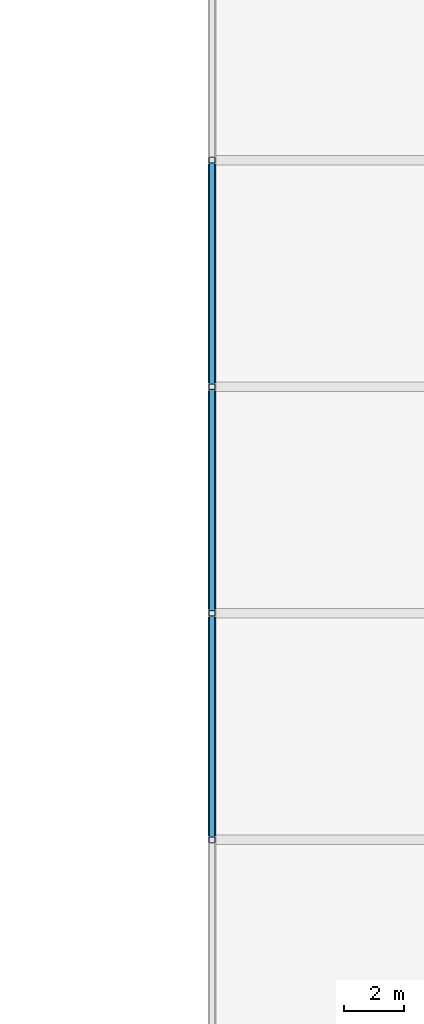
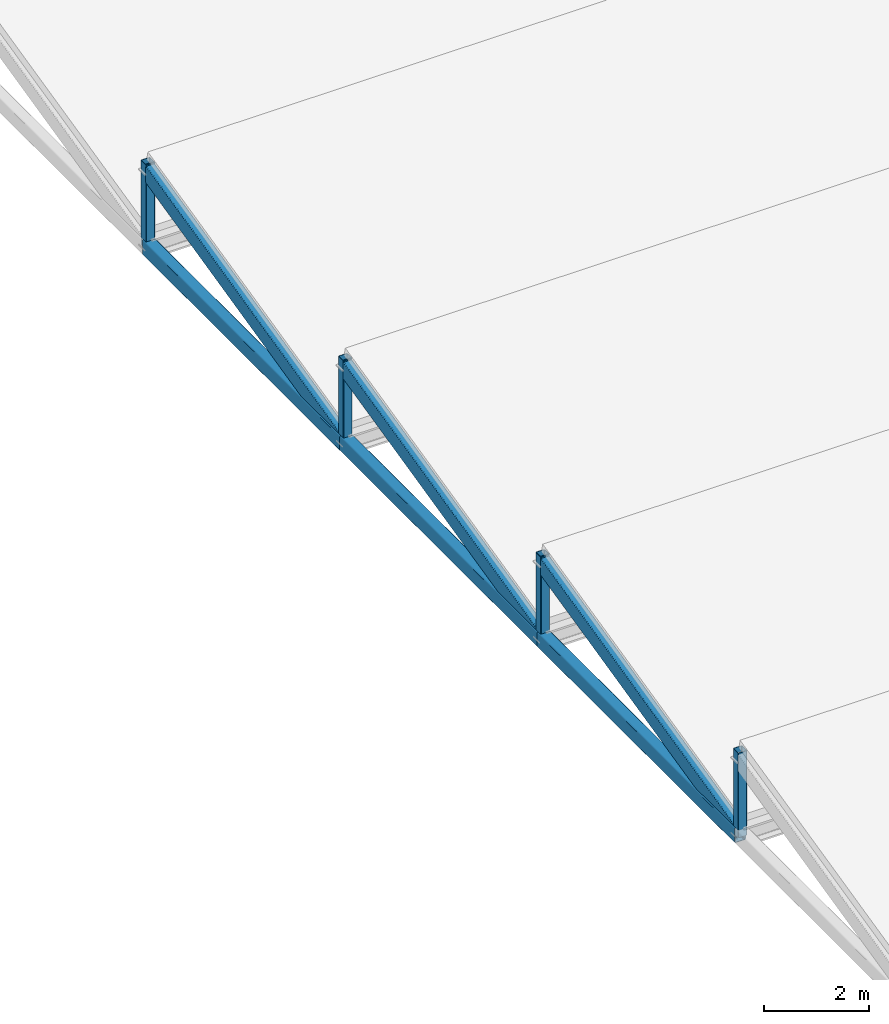
# One storey, part 38 of 82: 10 members.
"""IFC4 building model written with IfcOpenShell, lengths in metres."""

from ifc_helpers import new_model, si_unit, direction, frame, origin, origin_2d, place, context, subcontext, project, spatial, hollow_rectangle, extrude, material, material_profile, profile_set, type_object, element, save


model = new_model("IFC4")

# Units and contexts
model_context = context("Model", 3, precision=1e-05, world=origin(), true_north=direction((0.0, 1.0)))
body_context = subcontext(model_context, "Body", "Model", "MODEL_VIEW")
ifc_project = project(units=[si_unit("LENGTHUNIT", "METRE"), si_unit("AREAUNIT", "SQUARE_METRE"), si_unit("VOLUMEUNIT", "CUBIC_METRE"), si_unit("PLANEANGLEUNIT", "RADIAN"), si_unit("MASSUNIT", "GRAM", prefix="KILO")], contexts=[model_context])

# Site, building, storey
site_placement = place(None, origin())
site = spatial("IfcSite", under=ifc_project, at=site_placement, CompositionType="ELEMENT")
building_placement = place(site_placement, origin())
building = spatial("IfcBuilding", under=site, at=building_placement, Name="Qasida Concert Hall", CompositionType="ELEMENT")
storey_placement = place(building_placement, frame((0.0, 0.0, 17.10009765625)))
storey = spatial("IfcBuildingStorey", under=building, at=storey_placement, Name="L04", CompositionType="ELEMENT", Elevation=17.10009765625)

# Members
ifc_material = material(Name="Steel S355J2", Category="steel")
ifc_material_profile_1 = material_profile(ifc_material, hollow_rectangle(XDim=0.199951171875, YDim=0.39990234375, WallThickness=0.01611328125, InnerFilletRadius=0.01611328125, OuterFilletRadius=0.031982421875, at=origin_2d()), Name="RHS 400x200x16")
ifc_profile_set_1 = profile_set([ifc_material_profile_1], Name="Steel S355J2")
member_type_1 = type_object("IfcMemberType", Name="MB-CH4", PredefinedType="CHORD", material=ifc_profile_set_1)
for number, where, z_axis, x_axis, name in (
    (1, (127.5, 82.5, 0.0), (0.0, 0.973841209742, 0.227229615606), (-1.0, 0.0, 0.0), "Roof truss sawtooth rafter V4R-032"),
    (2, (127.5, 90.0, 0.0), (0.0, 0.973841209742, 0.227229615606), (-1.0, 0.0, 0.0), "Roof truss sawtooth rafter V4R-050"),
    (3, (127.5, 97.5, 0.0), (0.0, 0.973841209742, 0.227229615606), (-1.0, 0.0, 0.0), "Roof truss sawtooth rafter V4R-068"),
):
    element("IfcMember", number, at=place(storey_placement, frame(where, z_axis=z_axis, x_axis=x_axis)), inside=storey, type_object=member_type_1, Name=name, PredefinedType="CHORD", context=body_context, shape_type="SweptSolid", body=[
        extrude(hollow_rectangle(XDim=0.199951171875, YDim=0.39990234375, WallThickness=0.01611328125, InnerFilletRadius=0.01611328125, OuterFilletRadius=0.031982421875, at=origin_2d()), origin(), (0.0, 0.0, 1.0), 7.701416015625),
    ])
ifc_material_profile_2 = material_profile(ifc_material, hollow_rectangle(XDim=0.25, YDim=0.35009765625, WallThickness=0.01611328125, InnerFilletRadius=0.01611328125, OuterFilletRadius=0.031982421875, at=origin_2d()), Name="RHS 350x250x16")
ifc_profile_set_2 = profile_set([ifc_material_profile_2], Name="Steel S355J2")
member_type_2 = type_object("IfcMemberType", Name="MB-CH5", PredefinedType="CHORD", material=ifc_profile_set_2)
for number, where, z_axis, x_axis, name in (
    (4, (127.5, 82.5, 0.0), (0.0, 1.0, 0.0), (-1.0, 0.0, 0.0), "Roof truss sawtooth tie V4B-031"),
    (5, (127.5, 90.0, 0.0), (0.0, 1.0, 0.0), (-1.0, 0.0, 0.0), "Roof truss sawtooth tie V4B-049"),
    (6, (127.5, 97.5, 0.0), (0.0, 1.0, 0.0), (-1.0, 0.0, 0.0), "Roof truss sawtooth tie V4B-067"),
):
    element("IfcMember", number, at=place(storey_placement, frame(where, z_axis=z_axis, x_axis=x_axis)), inside=storey, type_object=member_type_2, Name=name, PredefinedType="CHORD", context=body_context, shape_type="SweptSolid", body=[
        extrude(hollow_rectangle(XDim=0.25, YDim=0.35009765625, WallThickness=0.01611328125, InnerFilletRadius=0.01611328125, OuterFilletRadius=0.031982421875, at=origin_2d()), origin(), (0.0, 0.0, 1.0), 7.5),
    ])
ifc_material_profile_3 = material_profile(ifc_material, hollow_rectangle(XDim=0.199951171875, YDim=0.199951171875, WallThickness=0.010009765625, InnerFilletRadius=0.010009765625, OuterFilletRadius=0.02001953125, at=origin_2d()), Name="SHS 200x200x10")
ifc_profile_set_3 = profile_set([ifc_material_profile_3], Name="Steel S355J2")
member_type_3 = type_object("IfcMemberType", Name="MB-ST6", PredefinedType="STRUT", material=ifc_profile_set_3)
for number, where, z_axis, x_axis, name in (
    (7, (127.5, 82.5, 0.0), (0.0, 0.0, 1.0), (1.0, 0.0, 0.0), "Roof truss sawtooth post V4V-015"),
    (8, (127.5, 90.0, 0.0), (0.0, 0.0, 1.0), (1.0, 0.0, 0.0), "Roof truss sawtooth post V4V-033"),
    (9, (127.5, 97.5, 0.0), (0.0, 0.0, 1.0), (1.0, 0.0, 0.0), "Roof truss sawtooth post V4V-051"),
    (10, (127.5, 105.0, 0.0), (0.0, 0.0, 1.0), (1.0, 0.0, 0.0), "Roof truss sawtooth post V4V-069"),
):
    element("IfcMember", number, at=place(storey_placement, frame(where, z_axis=z_axis, x_axis=x_axis)), inside=storey, type_object=member_type_3, Name=name, PredefinedType="STRUT", context=body_context, shape_type="SweptSolid", body=[
        extrude(hollow_rectangle(XDim=0.199951171875, YDim=0.199951171875, WallThickness=0.010009765625, InnerFilletRadius=0.010009765625, OuterFilletRadius=0.02001953125, at=origin_2d()), origin(), (0.0, 0.0, 1.0), 1.9599609375),
    ])

save(model, "model.ifc")
